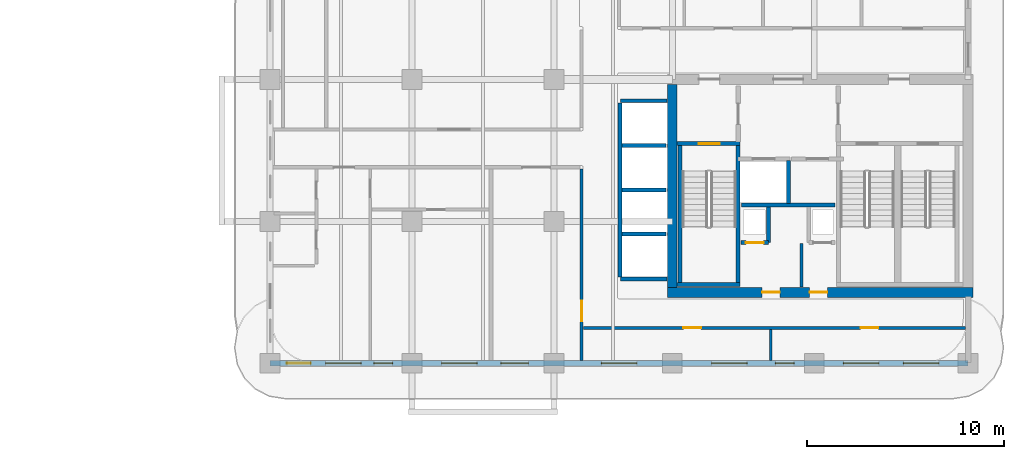
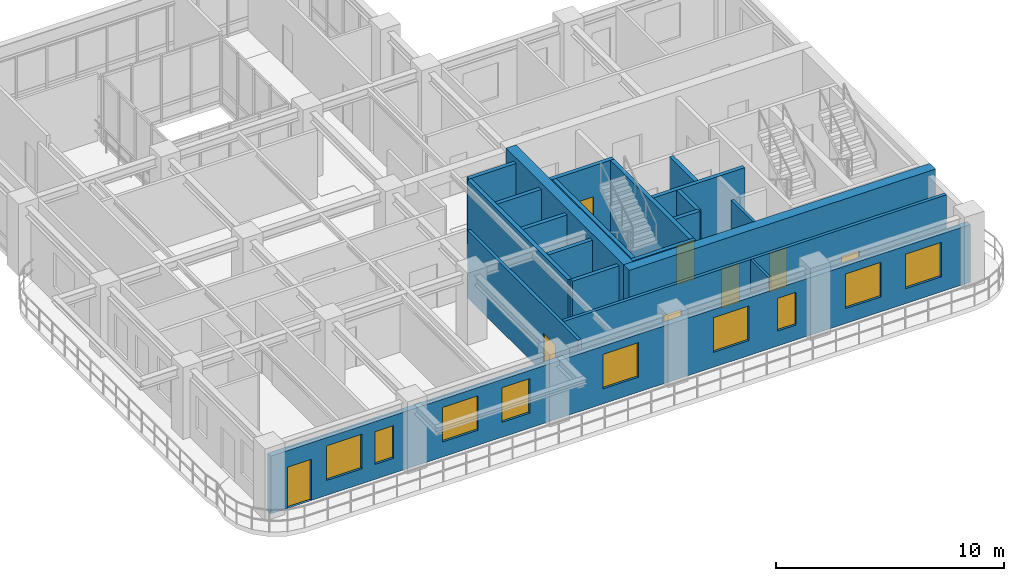
# One storey, part 12 of 19: 21 walls, 9 windows, 8 doors, 17 openings.
"""IFC4 building model written with IfcOpenShell, lengths in metres."""

from ifc_helpers import new_model, si_unit, derived_unit, direction, frame, frame_2d, origin, place, context, subcontext, project, spatial, rectangle, extrude, source, transform, mapped, material, layer, layer_set, type_object, type_shapes, element, fill, save


model = new_model("IFC4")

# Units and contexts
model_context = context("Model", 3, precision=1e-05, world=origin(), true_north=direction((0.0, 1.0)))
body_context = subcontext(model_context, "Body", "Model", "MODEL_VIEW")
ifc_project = project(units=[si_unit("LENGTHUNIT", "METRE"), si_unit("AREAUNIT", "SQUARE_METRE"), si_unit("VOLUMEUNIT", "CUBIC_METRE"), si_unit("PLANEANGLEUNIT", "RADIAN"), si_unit("MASSUNIT", "GRAM", prefix="KILO"), si_unit("THERMODYNAMICTEMPERATUREUNIT", "KELVIN"), si_unit("POWERUNIT", "WATT"), derived_unit("THERMALTRANSMITTANCEUNIT", [(si_unit("POWERUNIT", "WATT"), 1), (si_unit("AREAUNIT", "SQUARE_METRE"), -1), (si_unit("THERMODYNAMICTEMPERATUREUNIT", "KELVIN"), -1)])], contexts=[model_context])

# Site, building, storey
site_placement = place(None, origin())
site = spatial("IfcSite", under=ifc_project, at=site_placement, CompositionType="ELEMENT")
building_placement = place(site_placement, origin())
building = spatial("IfcBuilding", under=site, at=building_placement, Name="Zahravan Archway Hotel and Residences", CompositionType="ELEMENT")
storey_placement = place(building_placement, frame((0.0, 0.0, 150.300048828125)))
storey = spatial("IfcBuildingStorey", under=building, at=storey_placement, Name="L37", CompositionType="ELEMENT", Elevation=150.300048828125)

# Wall, openings, doors
ifc_material_1 = material(Name="Concrete C60/75", Category="concrete")
ifc_layer_1 = layer(ifc_material_1, 0.5, Name="Concrete C60/75", Category="concrete")
ifc_layer_set_1 = layer_set([ifc_layer_1], Name="Concrete C60/75")
wall_type_1 = type_object("IfcWallType", Name="CW-CORE-500", PredefinedType="SHEAR", material=ifc_layer_set_1)
wall_1_placement = place(storey_placement, frame((34.550048828125, 3.60009765625, 0.0), z_axis=(0.0, 0.0, 1.0), x_axis=(1.0, 0.0, 0.0)))
wall_1 = element("IfcWall", 1, at=wall_1_placement, inside=storey, type_object=wall_type_1, Name="L37 Core A Shear S Wall 500 mm", PredefinedType="SHEAR", context=body_context, shape_type="SweptSolid", body=[
    extrude(rectangle(XDim=15.5, YDim=0.5, at=frame_2d((7.75, 0.0))), origin(), (0.0, 0.0, 1.0), 3.849853515625),
])
opening_1_placement = place(wall_1_placement, frame((4.800048828125, 0.0, 0.0)))
opening_1 = element("IfcOpeningElement", 2, at=opening_1_placement, cuts=wall_1, Name="Opening FD-R1", PredefinedType="OPENING", context=body_context, shape_type="SweptSolid", body=[
    extrude(rectangle(XDim=0.89990234375, YDim=2.10009765625, at=frame_2d((0.449951171875, 1.050048828125))), frame((0.0, 0.260009765625, 0.0), z_axis=(0.0, -1.0, 0.0), x_axis=(1.0, 0.0, 0.0)), (0.0, 0.0, 1.0), 0.52001953125),
])
opening_2_placement = place(wall_1_placement, frame((7.219970703125, 0.0, 0.0)))
opening_2 = element("IfcOpeningElement", 3, at=opening_2_placement, cuts=wall_1, Name="Opening FD-R1", PredefinedType="OPENING", context=body_context, shape_type="SweptSolid", body=[
    extrude(rectangle(XDim=0.89990234375, YDim=2.10009765625, at=frame_2d((0.449951171875, 1.050048828125))), frame((0.0, 0.260009765625, 0.0), z_axis=(0.0, -1.0, 0.0), x_axis=(1.0, 0.0, 0.0)), (0.0, 0.0, 1.0), 0.52001953125),
])
ifc_material_2 = material(Name="Fire-Rated Painted Steel", Category="steel")
door_type_1 = type_object("IfcDoorType", Name="FD-RISER-900", OperationType="NOTDEFINED", PredefinedType="DOOR", material=ifc_material_2)
shared_shape_1 = source(origin(), body_context, "Body", "SweptSolid", [
    extrude(rectangle(XDim=0.89990234375, YDim=2.10009765625, at=frame_2d((0.449951171875, 1.050048828125))), frame((0.0, 0.02490234375, 0.0), z_axis=(0.0, -1.0, 0.0), x_axis=(1.0, 0.0, 0.0)), (0.0, 0.0, 1.0), 0.050048828125),
])
type_shapes(door_type_1, [shared_shape_1])
door_1_placement = place(opening_1_placement, origin())
door_1 = element("IfcDoor", 4, at=door_1_placement, inside=storey, type_object=door_type_1, Name="L37 Service Pantry Door", OperationType="SINGLE_SWING_RIGHT", OverallHeight=2.10009765625, OverallWidth=0.89990234375, PredefinedType="DOOR", context=body_context, shape_type="MappedRepresentation", body=[
    mapped(shared_shape_1, transform((0.0, 0.0, 0.0), scale=1.0)),
])
fill(opening_1, door_1)
door_2_placement = place(opening_2_placement, origin())
door_2 = element("IfcDoor", 5, at=door_2_placement, inside=storey, type_object=door_type_1, Name="L37 Fibre ELV Riser Door", OperationType="SINGLE_SWING_LEFT", OverallHeight=2.10009765625, OverallWidth=0.89990234375, PredefinedType="DOOR", context=body_context, shape_type="MappedRepresentation", body=[
    mapped(shared_shape_1, transform((0.0, 0.0, 0.0), scale=1.0)),
])
fill(opening_2, door_2)

# Wall
wall_2_placement = place(storey_placement, frame((34.800048828125, 3.85009765625, 0.0), z_axis=(0.0, 0.0, 1.0), x_axis=(0.0, 1.0, 0.0)))
element("IfcWall", 6, at=wall_2_placement, inside=storey, type_object=wall_type_1, Name="L37 Core A Shear W Wall 500 mm", PredefinedType="SHEAR", context=body_context, shape_type="SweptSolid", body=[
    extrude(rectangle(XDim=10.2998046875, YDim=0.5, at=frame_2d((5.14990234375, 0.0))), origin(), (0.0, 0.0, 1.0), 3.849853515625),
])

# Wall, openings, door, windows
ifc_material_3 = material(Name="Honed Red-Ochre Sandstone & Insulated Block", Category="masonry")
ifc_layer_2 = layer(ifc_material_3, 0.280029296875, Name="Honed Red-Ochre Sandstone & Insulated Block", Category="masonry")
ifc_layer_set_2 = layer_set([ifc_layer_2], Name="Honed Red-Ochre Sandstone & Insulated Block")
wall_type_2 = type_object("IfcWallType", Name="EW-LOG-280", PredefinedType="SOLIDWALL", material=ifc_layer_set_2)
wall_3_placement = place(storey_placement, frame((14.39990234375, 0.0, 0.0), z_axis=(0.0, 0.0, 1.0), x_axis=(1.0, 0.0, 0.0)))
wall_3 = element("IfcWall", 7, at=wall_3_placement, inside=storey, type_object=wall_type_2, Name="L37 Exterior Sandstone Wall WA-S", PredefinedType="SOLIDWALL", context=body_context, shape_type="SweptSolid", body=[
    extrude(rectangle(XDim=35.400146484375, YDim=0.280029296875, at=frame_2d((17.7001953125, 0.0))), origin(), (0.0, 0.0, 1.0), 3.0849609375),
])
opening_3_placement = place(wall_3_placement, frame((0.85009765625, 0.0, 0.0)))
opening_3 = element("IfcOpeningElement", 8, at=opening_3_placement, cuts=wall_3, Name="Opening ED-BL1", PredefinedType="OPENING", context=body_context, shape_type="SweptSolid", body=[
    extrude(rectangle(XDim=1.199951171875, YDim=2.199951171875, at=frame_2d((0.60009765625, 1.10009765625))), frame((0.0, 0.14990234375, 0.0), z_axis=(0.0, -1.0, 0.0), x_axis=(1.0, 0.0, 0.0)), (0.0, 0.0, 1.0), 0.300048828125),
])
opening_4_placement = place(wall_3_placement, frame((2.81103515625, 0.0, 0.800048828125)))
opening_4 = element("IfcOpeningElement", 9, at=opening_4_placement, cuts=wall_3, Name="Opening W-02", PredefinedType="OPENING", context=body_context, shape_type="SweptSolid", body=[
    extrude(rectangle(XDim=1.800048828125, YDim=1.85009765625, at=frame_2d((0.89990234375, 0.925048828125))), frame((0.0, 0.14990234375, 0.0), z_axis=(0.0, -1.0, 0.0), x_axis=(1.0, 0.0, 0.0)), (0.0, 0.0, 1.0), 0.300048828125),
])
opening_5_placement = place(wall_3_placement, frame((5.26904296875, 0.0, 0.800048828125)))
opening_5 = element("IfcOpeningElement", 10, at=opening_5_placement, cuts=wall_3, Name="Opening W-04", PredefinedType="OPENING", context=body_context, shape_type="SweptSolid", body=[
    extrude(rectangle(XDim=0.949951171875, YDim=1.75, at=frame_2d((0.47509765625, 0.875))), frame((0.0, 0.14990234375, 0.0), z_axis=(0.0, -1.0, 0.0), x_axis=(1.0, 0.0, 0.0)), (0.0, 0.0, 1.0), 0.300048828125),
])
opening_6_placement = place(wall_3_placement, frame((8.696044921875, 0.0, 0.800048828125)))
opening_6 = element("IfcOpeningElement", 11, at=opening_6_placement, cuts=wall_3, Name="Opening W-02", PredefinedType="OPENING", context=body_context, shape_type="SweptSolid", body=[
    extrude(rectangle(XDim=1.800048828125, YDim=1.85009765625, at=frame_2d((0.89990234375, 0.925048828125))), frame((0.0, 0.14990234375, 0.0), z_axis=(0.0, -1.0, 0.0), x_axis=(1.0, 0.0, 0.0)), (0.0, 0.0, 1.0), 0.300048828125),
])
opening_7_placement = place(wall_3_placement, frame((11.7041015625, 0.0, 0.800048828125)))
opening_7 = element("IfcOpeningElement", 12, at=opening_7_placement, cuts=wall_3, Name="Opening W-03", PredefinedType="OPENING", context=body_context, shape_type="SweptSolid", body=[
    extrude(rectangle(XDim=1.39990234375, YDim=1.85009765625, at=frame_2d((0.699951171875, 0.925048828125))), frame((0.0, 0.14990234375, 0.0), z_axis=(0.0, -1.0, 0.0), x_axis=(1.0, 0.0, 0.0)), (0.0, 0.0, 1.0), 0.300048828125),
])
opening_8_placement = place(wall_3_placement, frame((16.803955078125, 0.0, 0.800048828125)))
opening_8 = element("IfcOpeningElement", 13, at=opening_8_placement, cuts=wall_3, Name="Opening W-02", PredefinedType="OPENING", context=body_context, shape_type="SweptSolid", body=[
    extrude(rectangle(XDim=1.800048828125, YDim=1.85009765625, at=frame_2d((0.89990234375, 0.925048828125))), frame((0.0, 0.14990234375, 0.0), z_axis=(0.0, -1.0, 0.0), x_axis=(1.0, 0.0, 0.0)), (0.0, 0.0, 1.0), 0.300048828125),
])
opening_9_placement = place(wall_3_placement, frame((22.39599609375, 0.0, 0.800048828125)))
opening_9 = element("IfcOpeningElement", 14, at=opening_9_placement, cuts=wall_3, Name="Opening W-02", PredefinedType="OPENING", context=body_context, shape_type="SweptSolid", body=[
    extrude(rectangle(XDim=1.800048828125, YDim=1.85009765625, at=frame_2d((0.89990234375, 0.925048828125))), frame((0.0, 0.14990234375, 0.0), z_axis=(0.0, -1.0, 0.0), x_axis=(1.0, 0.0, 0.0)), (0.0, 0.0, 1.0), 0.300048828125),
])
opening_10_placement = place(wall_3_placement, frame((25.62890625, 0.0, 0.800048828125)))
opening_10 = element("IfcOpeningElement", 15, at=opening_10_placement, cuts=wall_3, Name="Opening W-04", PredefinedType="OPENING", context=body_context, shape_type="SweptSolid", body=[
    extrude(rectangle(XDim=0.949951171875, YDim=1.75, at=frame_2d((0.47509765625, 0.875))), frame((0.0, 0.14990234375, 0.0), z_axis=(0.0, -1.0, 0.0), x_axis=(1.0, 0.0, 0.0)), (0.0, 0.0, 1.0), 0.300048828125),
])
opening_11_placement = place(wall_3_placement, frame((29.074951171875, 0.0, 0.800048828125)))
opening_11 = element("IfcOpeningElement", 16, at=opening_11_placement, cuts=wall_3, Name="Opening W-02", PredefinedType="OPENING", context=body_context, shape_type="SweptSolid", body=[
    extrude(rectangle(XDim=1.800048828125, YDim=1.85009765625, at=frame_2d((0.89990234375, 0.925048828125))), frame((0.0, 0.14990234375, 0.0), z_axis=(0.0, -1.0, 0.0), x_axis=(1.0, 0.0, 0.0)), (0.0, 0.0, 1.0), 0.300048828125),
])
opening_12_placement = place(wall_3_placement, frame((32.125, 0.0, 0.800048828125)))
opening_12 = element("IfcOpeningElement", 17, at=opening_12_placement, cuts=wall_3, Name="Opening W-02", PredefinedType="OPENING", context=body_context, shape_type="SweptSolid", body=[
    extrude(rectangle(XDim=1.800048828125, YDim=1.85009765625, at=frame_2d((0.89990234375, 0.925048828125))), frame((0.0, 0.14990234375, 0.0), z_axis=(0.0, -1.0, 0.0), x_axis=(1.0, 0.0, 0.0)), (0.0, 0.0, 1.0), 0.300048828125),
])
ifc_material_4 = material(Name="Bronze-Anodized Glazed Aluminium", Category="aluminium")
door_type_2 = type_object("IfcDoorType", Name="ED-BALC-1200", OperationType="SLIDING_TO_LEFT", PredefinedType="DOOR", material=ifc_material_4)
shared_shape_2 = source(origin(), body_context, "Body", "SweptSolid", [
    extrude(rectangle(XDim=1.199951171875, YDim=2.199951171875, at=frame_2d((0.60009765625, 1.10009765625))), frame((0.0, 0.02490234375, 0.0), z_axis=(0.0, -1.0, 0.0), x_axis=(1.0, 0.0, 0.0)), (0.0, 0.0, 1.0), 0.050048828125),
])
type_shapes(door_type_2, [shared_shape_2])
door_3_placement = place(opening_3_placement, origin())
door_3 = element("IfcDoor", 18, at=door_3_placement, inside=storey, type_object=door_type_2, Name="L37 Outdoor Access Sliding Door (SLB-BAL-L37-SA)", OperationType="SLIDING_TO_LEFT", OverallHeight=2.199951171875, OverallWidth=1.199951171875, PredefinedType="DOOR", context=body_context, shape_type="MappedRepresentation", body=[
    mapped(shared_shape_2, transform((0.0, 0.0, 0.0), scale=1.0)),
])
fill(opening_3, door_3)
ifc_material_5 = material(Name="Bronze-Anodized Thermal-Break Aluminium & Low-E Glass", Category="aluminium")
window_type_1 = type_object("IfcWindowType", Name="WIN-TWR-1400", PartitioningType="SINGLE_PANEL", PredefinedType="WINDOW", material=ifc_material_5)
shared_shape_3 = source(origin(), body_context, "Body", "SweptSolid", [
    extrude(rectangle(XDim=1.39990234375, YDim=1.85009765625, at=frame_2d((0.699951171875, 0.925048828125))), frame((0.0, 0.030029296875, 0.0), z_axis=(0.0, -1.0, 0.0), x_axis=(1.0, 0.0, 0.0)), (0.0, 0.0, 1.0), 0.06005859375),
])
type_shapes(window_type_1, [shared_shape_3])
window_1_placement = place(opening_7_placement, origin())
window_1 = element("IfcWindow", 19, at=window_1_placement, inside=storey, type_object=window_type_1, Name="L37 Loggia Window 04", OverallHeight=1.85009765625, OverallWidth=1.39990234375, PartitioningType="SINGLE_PANEL", PredefinedType="WINDOW", context=body_context, shape_type="MappedRepresentation", body=[
    mapped(shared_shape_3, transform((0.0, 0.0, 0.0), scale=1.0)),
])
fill(opening_7, window_1)
window_type_2 = type_object("IfcWindowType", Name="WIN-NAR-950", PartitioningType="SINGLE_PANEL", PredefinedType="WINDOW", material=ifc_material_5)
shared_shape_4 = source(origin(), body_context, "Body", "SweptSolid", [
    extrude(rectangle(XDim=0.949951171875, YDim=1.75, at=frame_2d((0.47509765625, 0.875))), frame((0.0, 0.030029296875, 0.0), z_axis=(0.0, -1.0, 0.0), x_axis=(1.0, 0.0, 0.0)), (0.0, 0.0, 1.0), 0.06005859375),
])
type_shapes(window_type_2, [shared_shape_4])
window_2_placement = place(opening_5_placement, origin())
window_2 = element("IfcWindow", 20, at=window_2_placement, inside=storey, type_object=window_type_2, Name="L37 Loggia Window 02", OverallHeight=1.75, OverallWidth=0.949951171875, PartitioningType="SINGLE_PANEL", PredefinedType="WINDOW", context=body_context, shape_type="MappedRepresentation", body=[
    mapped(shared_shape_4, transform((0.0, 0.0, 0.0), scale=1.0)),
])
fill(opening_5, window_2)
window_3_placement = place(opening_10_placement, origin())
window_3 = element("IfcWindow", 21, at=window_3_placement, inside=storey, type_object=window_type_2, Name="L37 Loggia Window 07", OverallHeight=1.75, OverallWidth=0.949951171875, PartitioningType="SINGLE_PANEL", PredefinedType="WINDOW", context=body_context, shape_type="MappedRepresentation", body=[
    mapped(shared_shape_4, transform((0.0, 0.0, 0.0), scale=1.0)),
])
fill(opening_10, window_3)
window_type_3 = type_object("IfcWindowType", Name="WIN-TWR-1800", PartitioningType="DOUBLE_PANEL_VERTICAL", PredefinedType="WINDOW", material=ifc_material_5)
shared_shape_5 = source(origin(), body_context, "Body", "SweptSolid", [
    extrude(rectangle(XDim=1.800048828125, YDim=1.85009765625, at=frame_2d((0.89990234375, 0.925048828125))), frame((0.0, 0.030029296875, 0.0), z_axis=(0.0, -1.0, 0.0), x_axis=(1.0, 0.0, 0.0)), (0.0, 0.0, 1.0), 0.06005859375),
])
type_shapes(window_type_3, [shared_shape_5])
window_4_placement = place(opening_4_placement, origin())
window_4 = element("IfcWindow", 22, at=window_4_placement, inside=storey, type_object=window_type_3, Name="L37 Loggia Window 01", OverallHeight=1.85009765625, OverallWidth=1.800048828125, PartitioningType="DOUBLE_PANEL_VERTICAL", PredefinedType="WINDOW", context=body_context, shape_type="MappedRepresentation", body=[
    mapped(shared_shape_5, transform((0.0, 0.0, 0.0), scale=1.0)),
])
fill(opening_4, window_4)
window_5_placement = place(opening_6_placement, origin())
window_5 = element("IfcWindow", 23, at=window_5_placement, inside=storey, type_object=window_type_3, Name="L37 Loggia Window 03", OverallHeight=1.85009765625, OverallWidth=1.800048828125, PartitioningType="DOUBLE_PANEL_VERTICAL", PredefinedType="WINDOW", context=body_context, shape_type="MappedRepresentation", body=[
    mapped(shared_shape_5, transform((0.0, 0.0, 0.0), scale=1.0)),
])
fill(opening_6, window_5)
window_6_placement = place(opening_8_placement, origin())
window_6 = element("IfcWindow", 24, at=window_6_placement, inside=storey, type_object=window_type_3, Name="L37 Loggia Window 05", OverallHeight=1.85009765625, OverallWidth=1.800048828125, PartitioningType="DOUBLE_PANEL_VERTICAL", PredefinedType="WINDOW", context=body_context, shape_type="MappedRepresentation", body=[
    mapped(shared_shape_5, transform((0.0, 0.0, 0.0), scale=1.0)),
])
fill(opening_8, window_6)
window_7_placement = place(opening_9_placement, origin())
window_7 = element("IfcWindow", 25, at=window_7_placement, inside=storey, type_object=window_type_3, Name="L37 Loggia Window 06", OverallHeight=1.85009765625, OverallWidth=1.800048828125, PartitioningType="DOUBLE_PANEL_VERTICAL", PredefinedType="WINDOW", context=body_context, shape_type="MappedRepresentation", body=[
    mapped(shared_shape_5, transform((0.0, 0.0, 0.0), scale=1.0)),
])
fill(opening_9, window_7)
window_8_placement = place(opening_11_placement, origin())
window_8 = element("IfcWindow", 26, at=window_8_placement, inside=storey, type_object=window_type_3, Name="L37 Loggia Window 08", OverallHeight=1.85009765625, OverallWidth=1.800048828125, PartitioningType="DOUBLE_PANEL_VERTICAL", PredefinedType="WINDOW", context=body_context, shape_type="MappedRepresentation", body=[
    mapped(shared_shape_5, transform((0.0, 0.0, 0.0), scale=1.0)),
])
fill(opening_11, window_8)
window_9_placement = place(opening_12_placement, origin())
window_9 = element("IfcWindow", 27, at=window_9_placement, inside=storey, type_object=window_type_3, Name="L37 Loggia Window 09", OverallHeight=1.85009765625, OverallWidth=1.800048828125, PartitioningType="DOUBLE_PANEL_VERTICAL", PredefinedType="WINDOW", context=body_context, shape_type="MappedRepresentation", body=[
    mapped(shared_shape_5, transform((0.0, 0.0, 0.0), scale=1.0)),
])
fill(opening_12, window_9)

# Wall, opening, door
ifc_material_6 = material(Name="Fire-Rated Gypsum & Concrete Block", Category="concrete")
ifc_layer_3 = layer(ifc_material_6, 0.159912109375, Name="Fire-Rated Gypsum & Concrete Block", Category="concrete")
ifc_layer_set_3 = layer_set([ifc_layer_3], Name="Fire-Rated Gypsum & Concrete Block")
wall_type_3 = type_object("IfcWallType", Name="PW-CORR-160", PredefinedType="PARTITIONING", material=ifc_layer_set_3)
wall_4_placement = place(storey_placement, frame((30.199951171875, 0.14794921875, 0.0), z_axis=(0.0, 0.0, 1.0), x_axis=(0.0, 1.0, 0.0)))
wall_4 = element("IfcWall", 28, at=wall_4_placement, inside=storey, type_object=wall_type_3, Name="L37 Partition WA-SRW", PredefinedType="PARTITIONING", context=body_context, shape_type="SweptSolid", body=[
    extrude(rectangle(XDim=9.712158203125, YDim=0.159912109375, at=frame_2d((4.85595703125, 0.0))), origin(), (0.0, 0.0, 1.0), 3.599853515625),
])
opening_13_placement = place(wall_4_placement, frame((1.97705078125, 0.0, 0.0)))
opening_13 = element("IfcOpeningElement", 29, at=opening_13_placement, cuts=wall_4, Name="Opening FD-L2", PredefinedType="OPENING", context=body_context, shape_type="SweptSolid", body=[
    extrude(rectangle(XDim=1.050048828125, YDim=2.14990234375, at=frame_2d((0.52490234375, 1.074951171875))), frame((0.0, 0.08984375, 0.0), z_axis=(0.0, -1.0, 0.0), x_axis=(1.0, 0.0, 0.0)), (0.0, 0.0, 1.0), 0.179931640625),
])
door_type_3 = type_object("IfcDoorType", Name="FD-LOBBY-1100", OperationType="NOTDEFINED", PredefinedType="DOOR", material=ifc_material_2)
shared_shape_6 = source(origin(), body_context, "Body", "SweptSolid", [
    extrude(rectangle(XDim=1.050048828125, YDim=2.14990234375, at=frame_2d((0.52490234375, 1.074951171875))), frame((0.0, 0.02490234375, 0.0), z_axis=(0.0, -1.0, 0.0), x_axis=(1.0, 0.0, 0.0)), (0.0, 0.0, 1.0), 0.050048828125),
])
type_shapes(door_type_3, [shared_shape_6])
door_4_placement = place(opening_13_placement, origin())
door_4 = element("IfcDoor", 30, at=door_4_placement, inside=storey, type_object=door_type_3, Name="L37 South Riser Corridor Door", OperationType="SINGLE_SWING_LEFT", OverallHeight=2.14990234375, OverallWidth=1.050048828125, PredefinedType="DOOR", context=body_context, shape_type="MappedRepresentation", body=[
    mapped(shared_shape_6, transform((0.0, 0.0, 0.0), scale=1.0)),
])
fill(opening_13, door_4)

# Wall, openings, doors
wall_5_placement = place(storey_placement, frame((30.2900390625, 1.800048828125, 0.0), z_axis=(0.0, 0.0, 1.0), x_axis=(1.0, 0.0, 0.0)))
wall_5 = element("IfcWall", 31, at=wall_5_placement, inside=storey, type_object=wall_type_3, Name="L37 Partition WA-SRS", PredefinedType="PARTITIONING", context=body_context, shape_type="SweptSolid", body=[
    extrude(rectangle(XDim=19.369873046875, YDim=0.159912109375, at=frame_2d((9.68505859375, 0.0))), origin(), (0.0, 0.0, 1.0), 3.599853515625),
])
opening_14_placement = place(wall_5_placement, frame((5.07421875, 0.0, 0.0)))
opening_14 = element("IfcOpeningElement", 32, at=opening_14_placement, cuts=wall_5, Name="Opening D-I2", PredefinedType="OPENING", context=body_context, shape_type="SweptSolid", body=[
    extrude(rectangle(XDim=0.89990234375, YDim=2.14990234375, at=frame_2d((0.449951171875, 1.074951171875))), frame((0.0, 0.08984375, 0.0), z_axis=(0.0, -1.0, 0.0), x_axis=(1.0, 0.0, 0.0)), (0.0, 0.0, 1.0), 0.179931640625),
])
opening_15_placement = place(wall_5_placement, frame((14.06005859375, 0.0, 0.0)))
opening_15 = element("IfcOpeningElement", 33, at=opening_15_placement, cuts=wall_5, Name="Opening D-I2", PredefinedType="OPENING", context=body_context, shape_type="SweptSolid", body=[
    extrude(rectangle(XDim=0.89990234375, YDim=2.14990234375, at=frame_2d((0.449951171875, 1.074951171875))), frame((0.0, 0.08984375, 0.0), z_axis=(0.0, -1.0, 0.0), x_axis=(1.0, 0.0, 0.0)), (0.0, 0.0, 1.0), 0.179931640625),
])
ifc_material_7 = material(Name="Hardwood Veneer Timber", Category="wood")
door_type_4 = type_object("IfcDoorType", Name="ID-INT-900", OperationType="NOTDEFINED", PredefinedType="DOOR", material=ifc_material_7)
shared_shape_7 = source(origin(), body_context, "Body", "SweptSolid", [
    extrude(rectangle(XDim=0.89990234375, YDim=2.14990234375, at=frame_2d((0.449951171875, 1.074951171875))), frame((0.0, 0.02490234375, 0.0), z_axis=(0.0, -1.0, 0.0), x_axis=(1.0, 0.0, 0.0)), (0.0, 0.0, 1.0), 0.050048828125),
])
type_shapes(door_type_4, [shared_shape_7])
door_5_placement = place(opening_14_placement, origin())
door_5 = element("IfcDoor", 34, at=door_5_placement, inside=storey, type_object=door_type_4, Name="L37 South Study Door", OperationType="SINGLE_SWING_RIGHT", OverallHeight=2.14990234375, OverallWidth=0.89990234375, PredefinedType="DOOR", context=body_context, shape_type="MappedRepresentation", body=[
    mapped(shared_shape_7, transform((0.0, 0.0, 0.0), scale=1.0)),
])
fill(opening_14, door_5)
door_6_placement = place(opening_15_placement, origin())
door_6 = element("IfcDoor", 35, at=door_6_placement, inside=storey, type_object=door_type_4, Name="L37 South Pantry Door", OperationType="SINGLE_SWING_LEFT", OverallHeight=2.14990234375, OverallWidth=0.89990234375, PredefinedType="DOOR", context=body_context, shape_type="MappedRepresentation", body=[
    mapped(shared_shape_7, transform((0.0, 0.0, 0.0), scale=1.0)),
])
fill(opening_15, door_6)

# Walls
ifc_material_8 = material(Name="Acoustic Stud Partition")
ifc_layer_4 = layer(ifc_material_8, 0.125, Name="Acoustic Stud Partition")
ifc_layer_set_4 = layer_set([ifc_layer_4], Name="Acoustic Stud Partition")
wall_type_4 = type_object("IfcWallType", Name="PW-INT-125", PredefinedType="PARTITIONING", material=ifc_layer_set_4)
wall_6_placement = place(storey_placement, frame((39.800048828125, 0.14794921875, 0.0), z_axis=(0.0, 0.0, 1.0), x_axis=(0.0, 1.0, 0.0)))
element("IfcWall", 36, at=wall_6_placement, inside=storey, type_object=wall_type_4, Name="L37 Partition S-DIV1", PredefinedType="PARTITIONING", context=body_context, shape_type="SweptSolid", body=[
    extrude(rectangle(XDim=1.56201171875, YDim=0.125, at=frame_2d((0.781005859375, 0.0))), origin(), (0.0, 0.0, 1.0), 3.599853515625),
])
ifc_layer_5 = layer(ifc_material_6, 0.199951171875, Name="Fire-Rated Gypsum & Concrete Block", Category="concrete")
ifc_layer_set_5 = layer_set([ifc_layer_5], Name="Fire-Rated Gypsum & Concrete Block")
wall_type_5 = type_object("IfcWallType", Name="PW-SHAFT-200", PredefinedType="PARTITIONING", material=ifc_layer_set_5)
wall_7_placement = place(storey_placement, frame((38.300048828125, 8.030029296875, 0.0), z_axis=(0.0, 0.0, 1.0), x_axis=(1.0, 0.0, 0.0)))
element("IfcWall", 37, at=wall_7_placement, inside=storey, type_object=wall_type_5, Name="L37 Partition CA-FLS", PredefinedType="PARTITIONING", context=body_context, shape_type="SweptSolid", body=[
    extrude(rectangle(XDim=4.739990234375, YDim=0.199951171875, at=frame_2d((2.3701171875, 0.0))), origin(), (0.0, 0.0, 1.0), 3.599853515625),
])
wall_8_placement = place(storey_placement, frame((40.699951171875, 8.1201171875, 0.0), z_axis=(0.0, 0.0, 1.0), x_axis=(0.0, 1.0, 0.0)))
element("IfcWall", 38, at=wall_8_placement, inside=storey, type_object=wall_type_5, Name="L37 Partition CA-FLM", PredefinedType="PARTITIONING", context=body_context, shape_type="SweptSolid", body=[
    extrude(rectangle(XDim=2.179931640625, YDim=0.199951171875, at=frame_2d((1.08984375, 0.0))), origin(), (0.0, 0.0, 1.0), 3.599853515625),
])

# Wall, opening, door
wall_9_placement = place(storey_placement, frame((38.2900390625, 6.1201171875, 0.0), z_axis=(0.0, 0.0, 1.0), x_axis=(1.0, 0.0, 0.0)))
wall_9 = element("IfcWall", 39, at=wall_9_placement, inside=storey, type_object=wall_type_5, Name="L37 Partition CA-SMKS", PredefinedType="PARTITIONING", context=body_context, shape_type="SweptSolid", body=[
    extrude(rectangle(XDim=1.3798828125, YDim=0.199951171875, at=frame_2d((0.68994140625, 0.0))), origin(), (0.0, 0.0, 1.0), 3.599853515625),
])
opening_16_placement = place(wall_9_placement, frame((0.239990234375, 0.0, 0.0)))
opening_16 = element("IfcOpeningElement", 40, at=opening_16_placement, cuts=wall_9, Name="Opening FD-R1", PredefinedType="OPENING", context=body_context, shape_type="SweptSolid", body=[
    extrude(rectangle(XDim=0.89990234375, YDim=2.10009765625, at=frame_2d((0.449951171875, 1.050048828125))), frame((0.0, 0.10986328125, 0.0), z_axis=(0.0, -1.0, 0.0), x_axis=(1.0, 0.0, 0.0)), (0.0, 0.0, 1.0), 0.219970703125),
])
door_7_placement = place(opening_16_placement, origin())
door_7 = element("IfcDoor", 41, at=door_7_placement, inside=storey, type_object=door_type_1, Name="L37 Smoke Riser Access Door", OperationType="SINGLE_SWING_RIGHT", OverallHeight=2.10009765625, OverallWidth=0.89990234375, PredefinedType="DOOR", context=body_context, shape_type="MappedRepresentation", body=[
    mapped(shared_shape_1, transform((0.0, 0.0, 0.0), scale=1.0)),
])
fill(opening_16, door_7)

# Walls
wall_10_placement = place(storey_placement, frame((39.679931640625, 6.1298828125, 0.0), z_axis=(0.0, 0.0, 1.0), x_axis=(0.0, 1.0, 0.0)))
element("IfcWall", 42, at=wall_10_placement, inside=storey, type_object=wall_type_5, Name="L37 Partition CA-SMKE", PredefinedType="PARTITIONING", context=body_context, shape_type="SweptSolid", body=[
    extrude(rectangle(XDim=1.7900390625, YDim=0.199951171875, at=frame_2d((0.89501953125, 0.0))), origin(), (0.0, 0.0, 1.0), 3.599853515625),
])
for number, where, z_axis, x_axis, name in (
    (43, (32.159912109375, 4.280029296875, 0.0), (0.0, 0.0, 1.0), (1.0, 0.0, 0.0), "L37 Partition B3-S"),
    (44, (32.159912109375, 13.320068359375, 0.0), (0.0, 0.0, 1.0), (1.0, 0.0, 0.0), "L37 Partition B3-N"),
):
    element("IfcWall", number, at=place(storey_placement, frame(where, z_axis=z_axis, x_axis=x_axis)), inside=storey, type_object=wall_type_5, Name=name, PredefinedType="PARTITIONING", context=body_context, shape_type="SweptSolid", body=[
        extrude(rectangle(XDim=2.360107421875, YDim=0.199951171875, at=frame_2d((1.18017578125, 0.0))), origin(), (0.0, 0.0, 1.0), 3.599853515625),
    ])
wall_11_placement = place(storey_placement, frame((32.14990234375, 4.389892578125, 0.0), z_axis=(0.0, 0.0, 1.0), x_axis=(0.0, 1.0, 0.0)))
element("IfcWall", 45, at=wall_11_placement, inside=storey, type_object=wall_type_5, Name="L37 Partition B3-W", PredefinedType="PARTITIONING", context=body_context, shape_type="SweptSolid", body=[
    extrude(rectangle(XDim=8.820068359375, YDim=0.199951171875, at=frame_2d((4.41015625, 0.0))), origin(), (0.0, 0.0, 1.0), 3.599853515625),
])
for number, where, z_axis, x_axis, name in (
    (46, (32.260009765625, 6.56005859375, 0.0), (0.0, 0.0, 1.0), (1.0, 0.0, 0.0), "L37 Partition B3-D"),
    (47, (32.260009765625, 8.800048828125, 0.0), (0.0, 0.0, 1.0), (1.0, 0.0, 0.0), "L37 Partition B3-D"),
    (48, (32.260009765625, 11.0400390625, 0.0), (0.0, 0.0, 1.0), (1.0, 0.0, 0.0), "L37 Partition B3-D"),
):
    element("IfcWall", number, at=place(storey_placement, frame(where, z_axis=z_axis, x_axis=x_axis)), inside=storey, type_object=wall_type_5, Name=name, PredefinedType="PARTITIONING", context=body_context, shape_type="SweptSolid", body=[
        extrude(rectangle(XDim=2.22998046875, YDim=0.199951171875, at=frame_2d((1.114990234375, 0.0))), origin(), (0.0, 0.0, 1.0), 3.599853515625),
    ])
ifc_material_9 = material(Name="Moisture-Resistant Blockwork", Category="masonry")
ifc_layer_6 = layer(ifc_material_9, 0.139892578125, Name="Moisture-Resistant Blockwork", Category="masonry")
ifc_layer_set_6 = layer_set([ifc_layer_6], Name="Moisture-Resistant Blockwork")
wall_type_6 = type_object("IfcWallType", Name="PW-WET-140", PredefinedType="PARTITIONING", material=ifc_layer_set_6)
wall_12_placement = place(storey_placement, frame((41.35009765625, 3.8701171875, 0.0), z_axis=(0.0, 0.0, 1.0), x_axis=(0.0, 1.0, 0.0)))
element("IfcWall", 49, at=wall_12_placement, inside=storey, type_object=wall_type_6, Name="L37 Partition CA-CV3", PredefinedType="PARTITIONING", context=body_context, shape_type="SweptSolid", body=[
    extrude(rectangle(XDim=2.2099609375, YDim=0.139892578125, at=frame_2d((1.10498046875, 0.0))), origin(), (0.0, 0.0, 1.0), 3.599853515625),
])
ifc_material_10 = material(Name="Concrete C50/60", Category="concrete")
ifc_layer_7 = layer(ifc_material_10, 0.199951171875, Name="Concrete C50/60", Category="concrete")
ifc_layer_set_7 = layer_set([ifc_layer_7], Name="Concrete C50/60")
wall_type_7 = type_object("IfcWallType", Name="SW-STAIR-200", PredefinedType="SHEAR", material=ifc_layer_set_7)
wall_13_placement = place(storey_placement, frame((35.050048828125, 4.0, 0.0), z_axis=(0.0, 0.0, 1.0), x_axis=(1.0, 0.0, 0.0)))
element("IfcWall", 50, at=wall_13_placement, inside=storey, type_object=wall_type_7, Name="L37 Stairwell RC Wall CA-SA1S", PredefinedType="SHEAR", context=body_context, shape_type="SweptSolid", body=[
    extrude(rectangle(XDim=3.18994140625, YDim=0.199951171875, at=frame_2d((1.594970703125, 0.0))), origin(), (0.0, 0.0, 1.0), 3.849853515625),
])
for number, where, z_axis, x_axis, name in (
    (51, (35.199951171875, 4.10009765625, 0.0), (0.0, 0.0, 1.0), (0.0, 1.0, 0.0), "L37 Stairwell RC Wall CA-SA1W"),
    (52, (38.139892578125, 4.10009765625, 0.0), (0.0, 0.0, 1.0), (0.0, 1.0, 0.0), "L37 Stairwell RC Wall CA-SA1E"),
):
    element("IfcWall", number, at=place(storey_placement, frame(where, z_axis=z_axis, x_axis=x_axis)), inside=storey, type_object=wall_type_7, Name=name, PredefinedType="SHEAR", context=body_context, shape_type="SweptSolid", body=[
        extrude(rectangle(XDim=6.949951171875, YDim=0.199951171875, at=frame_2d((3.47509765625, 0.0))), origin(), (0.0, 0.0, 1.0), 3.849853515625),
    ])

# Wall, opening, door
wall_14_placement = place(storey_placement, frame((35.050048828125, 11.14990234375, 0.0), z_axis=(0.0, 0.0, 1.0), x_axis=(1.0, 0.0, 0.0)))
wall_14 = element("IfcWall", 53, at=wall_14_placement, inside=storey, type_object=wall_type_7, Name="L37 Stairwell RC Wall CA-SA1N", PredefinedType="SHEAR", context=body_context, shape_type="SweptSolid", body=[
    extrude(rectangle(XDim=3.18994140625, YDim=0.199951171875, at=frame_2d((1.594970703125, 0.0))), origin(), (0.0, 0.0, 1.0), 3.849853515625),
])
opening_17_placement = place(wall_14_placement, frame((1.094970703125, 0.0, 0.0)))
opening_17 = element("IfcOpeningElement", 54, at=opening_17_placement, cuts=wall_14, Name="Opening FD-S1", PredefinedType="OPENING", context=body_context, shape_type="SweptSolid", body=[
    extrude(rectangle(XDim=1.050048828125, YDim=2.199951171875, at=frame_2d((0.52490234375, 1.10009765625))), frame((0.0, 0.10986328125, 0.0), z_axis=(0.0, -1.0, 0.0), x_axis=(1.0, 0.0, 0.0)), (0.0, 0.0, 1.0), 0.219970703125),
])
door_type_5 = type_object("IfcDoorType", Name="FD-STAIR-1100", OperationType="NOTDEFINED", PredefinedType="DOOR", material=ifc_material_2)
shared_shape_8 = source(origin(), body_context, "Body", "SweptSolid", [
    extrude(rectangle(XDim=1.050048828125, YDim=2.199951171875, at=frame_2d((0.52490234375, 1.10009765625))), frame((0.0, 0.02490234375, 0.0), z_axis=(0.0, -1.0, 0.0), x_axis=(1.0, 0.0, 0.0)), (0.0, 0.0, 1.0), 0.050048828125),
])
type_shapes(door_type_5, [shared_shape_8])
door_8_placement = place(opening_17_placement, origin())
door_8 = element("IfcDoor", 55, at=door_8_placement, inside=storey, type_object=door_type_5, Name="L37 Stair ST-A1 Door", OperationType="SINGLE_SWING_LEFT", OverallHeight=2.199951171875, OverallWidth=1.050048828125, PredefinedType="DOOR", context=body_context, shape_type="MappedRepresentation", body=[
    mapped(shared_shape_8, transform((0.0, 0.0, 0.0), scale=1.0)),
])
fill(opening_17, door_8)

save(model, "model.ifc")
